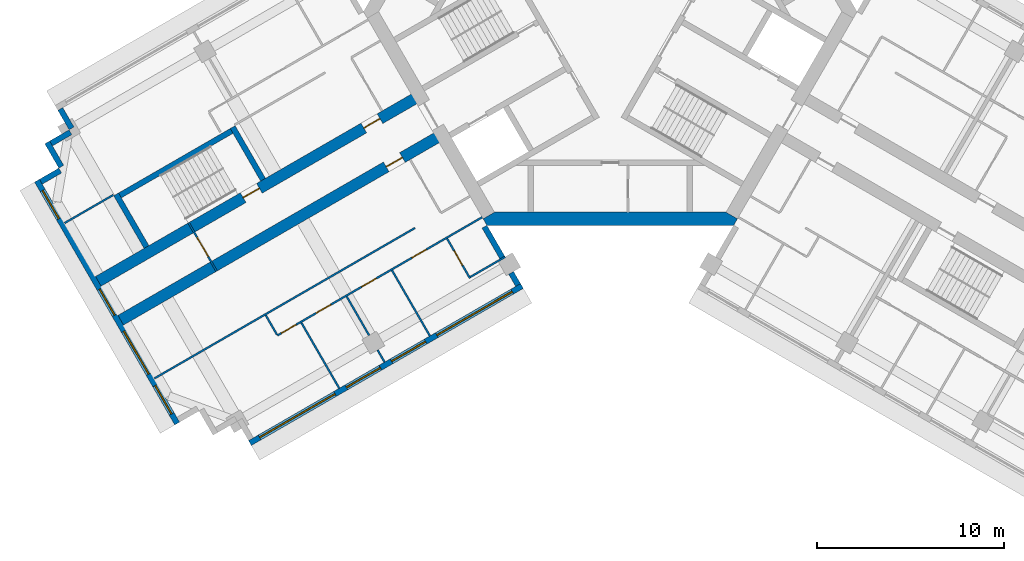
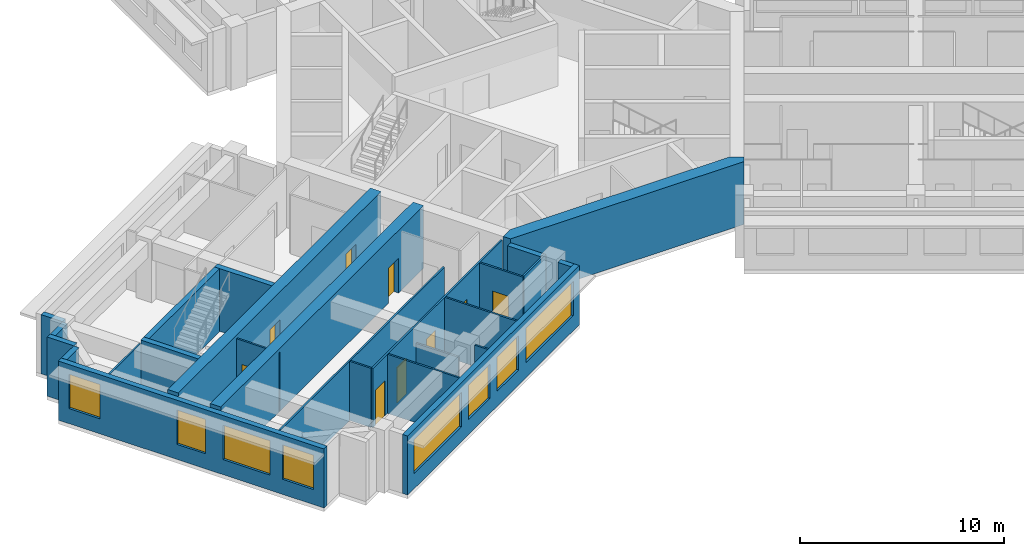
# One storey, part 2 of 10: 25 walls, 9 doors, 8 windows, 17 openings.
"""IFC4 building model written with IfcOpenShell, lengths in metres."""

from ifc_helpers import new_model, si_unit, direction, frame, frame_2d, origin, place, context, subcontext, project, spatial, polyline, rectangle, outline, extrude, material, layer, layer_set, type_object, element, fill, save


model = new_model("IFC4")

# Units and contexts
model_context = context("Model", 3, precision=1e-05, world=origin(), true_north=direction((0.0, 1.0)))
body_context = subcontext(model_context, "Body", "Model", "MODEL_VIEW")
ifc_project = project(units=[si_unit("LENGTHUNIT", "METRE"), si_unit("AREAUNIT", "SQUARE_METRE"), si_unit("VOLUMEUNIT", "CUBIC_METRE"), si_unit("PLANEANGLEUNIT", "RADIAN"), si_unit("MASSUNIT", "GRAM", prefix="KILO")], contexts=[model_context])

# Site, building, storey
site_placement = place(None, origin())
site = spatial("IfcSite", under=ifc_project, at=site_placement, CompositionType="ELEMENT")
building_placement = place(site_placement, origin())
building = spatial("IfcBuilding", under=site, at=building_placement, Name="Impinga Residences", CompositionType="ELEMENT")
storey_placement = place(building_placement, frame((0.0, 0.0, 241.0)))
storey = spatial("IfcBuildingStorey", under=building, at=storey_placement, Name="L60", CompositionType="ELEMENT", Elevation=241.0)

# Wall, opening, door
ifc_material_1 = material(Name="Concrete C60/75", Category="concrete")
ifc_layer_1 = layer(ifc_material_1, 0.60009765625)
ifc_layer_set_1 = layer_set([ifc_layer_1], Name="Concrete C60/75")
wall_type_1 = type_object("IfcWallType", Name="BW3 corridor buttress wall, L46 to L73 600", PredefinedType="SHEAR", material=ifc_layer_set_1)
wall_1_placement = place(storey_placement, frame((-8.996826171875, -6.580078125, 0.0), z_axis=(0.0, 0.0, 1.0), x_axis=(-0.866030540451, -0.499991102927, 0.0)))
wall_1 = element("IfcWall", 1, at=wall_1_placement, inside=storey, type_object=wall_type_1, Name="Corridor wall BW3 WC L60", PredefinedType="SHEAR", context=body_context, shape_type="SweptSolid", body=[
    extrude(rectangle(XDim=19.849853515625, YDim=0.60009765625, at=frame_2d((9.9248046875, 0.0))), origin(), (0.0, 0.0, 1.0), 3.75),
])
opening_1_placement = place(wall_1_placement, frame((2.449951171875, 0.0, 0.0)))
opening_1 = element("IfcOpeningElement", 2, at=opening_1_placement, cuts=wall_1, Name="Opening D1", PredefinedType="OPENING", context=body_context, shape_type="SweptSolid", body=[
    extrude(rectangle(XDim=1.0, YDim=2.10009765625, at=frame_2d((0.5, 1.050048828125))), frame((0.0, 0.31005859375, 0.0), z_axis=(0.0, -1.0, 0.0), x_axis=(1.0, 0.0, 0.0)), (0.0, 0.0, 1.0), 0.6201171875),
])
ifc_material_2 = material(Name="Timber door set", Category="wood")
door_type_1 = type_object("IfcDoorType", Name="D1 apartment entrance door 1000x2100", OperationType="SINGLE_SWING_LEFT", PredefinedType="DOOR", material=ifc_material_2)
door_1_placement = place(opening_1_placement, origin())
door_1 = element("IfcDoor", 3, at=door_1_placement, inside=storey, type_object=door_type_1, Name="Apartment L60-WA1 entrance", OperationType="SINGLE_SWING_LEFT", OverallHeight=2.10009765625, OverallWidth=1.0, PredefinedType="DOOR", context=body_context, shape_type="SweptSolid", body=[
    extrude(rectangle(XDim=1.0, YDim=2.10009765625, at=frame_2d((0.5, 1.050048828125))), frame((0.0, 0.02490234375, 0.0), z_axis=(0.0, -1.0, 0.0), x_axis=(1.0, 0.0, 0.0)), (0.0, 0.0, 1.0), 0.050048828125),
])
fill(opening_1, door_1)

# Wall, openings, doors
wall_2_placement = place(storey_placement, frame((-10.19677734375, -4.50146484375, 0.0), z_axis=(0.0, 0.0, 1.0), x_axis=(-0.866025214745, -0.500000327426, 0.0)))
wall_2 = element("IfcWall", 4, at=wall_2_placement, inside=storey, type_object=wall_type_1, Name="Corridor wall BW3 WD L60", PredefinedType="SHEAR", context=body_context, shape_type="SweptSolid", body=[
    extrude(rectangle(XDim=19.85009765625, YDim=0.60009765625, at=frame_2d((9.925048828125, 0.0))), origin(), (0.0, 0.0, 1.0), 3.75),
])
opening_2_placement = place(wall_2_placement, frame((9.89990234375, 0.0, 0.0)))
opening_2 = element("IfcOpeningElement", 5, at=opening_2_placement, cuts=wall_2, Name="Opening D5", PredefinedType="OPENING", context=body_context, shape_type="SweptSolid", body=[
    extrude(rectangle(XDim=1.0, YDim=2.10009765625, at=frame_2d((0.5, 1.050048828125))), frame((0.0, 0.31005859375, 0.0), z_axis=(0.0, -1.0, 0.0), x_axis=(1.0, 0.0, 0.0)), (0.0, 0.0, 1.0), 0.6201171875),
])
opening_3_placement = place(wall_2_placement, frame((2.449951171875, 0.0, 0.0)))
opening_3 = element("IfcOpeningElement", 6, at=opening_3_placement, cuts=wall_2, Name="Opening D1", PredefinedType="OPENING", context=body_context, shape_type="SweptSolid", body=[
    extrude(rectangle(XDim=1.0, YDim=2.10009765625, at=frame_2d((0.5, 1.050048828125))), frame((0.0, 0.31005859375, 0.0), z_axis=(0.0, -1.0, 0.0), x_axis=(1.0, 0.0, 0.0)), (0.0, 0.0, 1.0), 0.6201171875),
])
door_2_placement = place(opening_3_placement, origin())
door_2 = element("IfcDoor", 7, at=door_2_placement, inside=storey, type_object=door_type_1, Name="Apartment L60-WF1 entrance", OperationType="SINGLE_SWING_LEFT", OverallHeight=2.10009765625, OverallWidth=1.0, PredefinedType="DOOR", context=body_context, shape_type="SweptSolid", body=[
    extrude(rectangle(XDim=1.0, YDim=2.10009765625, at=frame_2d((0.5, 1.050048828125))), frame((0.0, 0.02490234375, 0.0), z_axis=(0.0, -1.0, 0.0), x_axis=(1.0, 0.0, 0.0)), (0.0, 0.0, 1.0), 0.050048828125),
])
fill(opening_3, door_2)
door_type_2 = type_object("IfcDoorType", Name="D5 stair door 1000x2100", OperationType="SINGLE_SWING_LEFT", PredefinedType="DOOR", material=ifc_material_2)
door_3_placement = place(opening_2_placement, origin())
door_3 = element("IfcDoor", 8, at=door_3_placement, inside=storey, type_object=door_type_2, Name="Wing stair door W", OperationType="SINGLE_SWING_RIGHT", OverallHeight=2.10009765625, OverallWidth=1.0, PredefinedType="DOOR", context=body_context, shape_type="SweptSolid", body=[
    extrude(rectangle(XDim=1.0, YDim=2.10009765625, at=frame_2d((0.5, 1.050048828125))), frame((0.0, 0.02490234375, 0.0), z_axis=(0.0, -1.0, 0.0), x_axis=(1.0, 0.0, 0.0)), (0.0, 0.0, 1.0), 0.050048828125),
])
fill(opening_2, door_3)

# Wall, opening, door
ifc_material_3 = material(Name="Concrete blockwork", Category="masonry")
ifc_layer_2 = layer(ifc_material_3, 0.10009765625)
ifc_layer_set_2 = layer_set([ifc_layer_2], Name="CP1 core room partition, blockwork 100")
wall_type_2 = type_object("IfcWallType", Name="CP1 core room partition, blockwork 100", PredefinedType="PARTITIONING", material=ifc_layer_set_2)
wall_3_placement = place(storey_placement, frame((-21.057861328125, -13.889892578125, 0.0), z_axis=(0.0, 0.0, 1.0), x_axis=(-0.499990139034, 0.866031096941, 0.0)))
wall_3 = element("IfcWall", 9, at=wall_3_placement, inside=storey, type_object=wall_type_2, Name="Core room partition, blockwork L60:W:LNG", PredefinedType="PARTITIONING", context=body_context, shape_type="SweptSolid", body=[
    extrude(rectangle(XDim=3.0, YDim=0.10009765625, at=frame_2d((1.5, 0.0))), origin(), (0.0, 0.0, 1.0), 3.530029296875),
])
opening_4_placement = place(wall_3_placement, frame((0.89990234375, 0.0, 0.0)))
opening_4 = element("IfcOpeningElement", 10, at=opening_4_placement, cuts=wall_3, Name="Opening D3", PredefinedType="OPENING", context=body_context, shape_type="SweptSolid", body=[
    extrude(rectangle(XDim=1.199951171875, YDim=2.10009765625, at=frame_2d((0.60009765625, 1.050048828125))), frame((0.0, 0.06005859375, 0.0), z_axis=(0.0, -1.0, 0.0), x_axis=(1.0, 0.0, 0.0)), (0.0, 0.0, 1.0), 0.1201171875),
])
door_type_3 = type_object("IfcDoorType", Name="D3 room door, leaf and a half 1200x2100", OperationType="DOUBLE_SWING_LEFT", PredefinedType="DOOR", material=ifc_material_2)
door_4_placement = place(opening_4_placement, origin())
door_4 = element("IfcDoor", 11, at=door_4_placement, inside=storey, type_object=door_type_3, Name="Residents' lounge door W", OperationType="DOUBLE_SWING_LEFT", OverallHeight=2.10009765625, OverallWidth=1.199951171875, PredefinedType="DOOR", context=body_context, shape_type="SweptSolid", body=[
    extrude(rectangle(XDim=1.199951171875, YDim=2.10009765625, at=frame_2d((0.60009765625, 1.050048828125))), frame((0.0, 0.02490234375, 0.0), z_axis=(0.0, -1.0, 0.0), x_axis=(1.0, 0.0, 0.0)), (0.0, 0.0, 1.0), 0.050048828125),
])
fill(opening_4, door_4)

# Walls
ifc_material_4 = material(Name="Terracotta rainscreen on blockwork", Category="masonry")
ifc_layer_3 = layer(ifc_material_4, 0.300048828125)
ifc_layer_set_3 = layer_set([ifc_layer_3], Name="EW1 external wall, terracotta rainscreen on blockwork 300")
wall_type_3 = type_object("IfcWallType", Name="EW1 external wall, terracotta rainscreen on blockwork 300", PredefinedType="SOLIDWALL", material=ifc_layer_set_3)
wall_4_placement = place(storey_placement, frame((-6.72998046875, -11.506591796875, 0.0), z_axis=(0.0, 0.0, 1.0), x_axis=(0.500043961785, -0.866000020948, 0.0)))
element("IfcWall", 12, at=wall_4_placement, inside=storey, type_object=wall_type_3, Name="External wall EW1 L60", PredefinedType="SOLIDWALL", context=body_context, shape_type="SweptSolid", body=[
    extrude(rectangle(XDim=1.949951171875, YDim=0.300048828125, at=frame_2d((0.97509765625, 0.0))), origin(), (0.0, 0.0, 1.0), 3.530029296875),
])
wall_5_placement = place(storey_placement, frame((-5.304931640625, -13.974609375, 0.0), z_axis=(0.0, 0.0, 1.0), x_axis=(0.499919672301, -0.866071776036, 0.0)))
element("IfcWall", 13, at=wall_5_placement, inside=storey, type_object=wall_type_3, Name="External wall EW1 L60", PredefinedType="SOLIDWALL", context=body_context, shape_type="SweptSolid", body=[
    extrude(rectangle(XDim=0.75, YDim=0.300048828125, at=frame_2d((0.375, 0.0))), origin(), (0.0, 0.0, 1.0), 3.530029296875),
])

# Wall, openings, windows
wall_6_placement = place(storey_placement, frame((-4.72509765625, -14.67919921875, 0.0), z_axis=(0.0, 0.0, 1.0), x_axis=(-0.86602562146, -0.499999622975, 0.0)))
wall_6 = element("IfcWall", 14, at=wall_6_placement, inside=storey, type_object=wall_type_3, Name="External wall EW1 L60", PredefinedType="SOLIDWALL", context=body_context, shape_type="SweptSolid", body=[
    extrude(rectangle(XDim=16.7998046875, YDim=0.300048828125, at=frame_2d((8.39990234375, 0.0))), origin(), (0.0, 0.0, 1.0), 3.530029296875),
])
opening_5_placement = place(wall_6_placement, frame((0.60009765625, 0.0, 0.89990234375)))
opening_5 = element("IfcOpeningElement", 15, at=opening_5_placement, cuts=wall_6, Name="Opening W10", PredefinedType="OPENING", context=body_context, shape_type="SweptSolid", body=[
    extrude(rectangle(XDim=4.64990234375, YDim=2.050048828125, at=frame_2d((2.324951171875, 1.02490234375))), frame((0.0, 0.159912109375, 0.0), z_axis=(0.0, -1.0, 0.0), x_axis=(1.0, 0.0, 0.0)), (0.0, 0.0, 1.0), 0.320068359375),
])
opening_6_placement = place(wall_6_placement, frame((5.949951171875, 0.0, 0.89990234375)))
opening_6 = element("IfcOpeningElement", 16, at=opening_6_placement, cuts=wall_6, Name="Opening W9", PredefinedType="OPENING", context=body_context, shape_type="SweptSolid", body=[
    extrude(rectangle(XDim=2.10009765625, YDim=2.050048828125, at=frame_2d((1.050048828125, 1.02490234375))), frame((0.0, 0.159912109375, 0.0), z_axis=(0.0, -1.0, 0.0), x_axis=(1.0, 0.0, 0.0)), (0.0, 0.0, 1.0), 0.320068359375),
])
opening_7_placement = place(wall_6_placement, frame((8.75, 0.0, 0.89990234375)))
opening_7 = element("IfcOpeningElement", 17, at=opening_7_placement, cuts=wall_6, Name="Opening W9", PredefinedType="OPENING", context=body_context, shape_type="SweptSolid", body=[
    extrude(rectangle(XDim=2.10009765625, YDim=2.050048828125, at=frame_2d((1.050048828125, 1.02490234375))), frame((0.0, 0.159912109375, 0.0), z_axis=(0.0, -1.0, 0.0), x_axis=(1.0, 0.0, 0.0)), (0.0, 0.0, 1.0), 0.320068359375),
])
opening_8_placement = place(wall_6_placement, frame((11.550048828125, 0.0, 0.89990234375)))
opening_8 = element("IfcOpeningElement", 18, at=opening_8_placement, cuts=wall_6, Name="Opening W10", PredefinedType="OPENING", context=body_context, shape_type="SweptSolid", body=[
    extrude(rectangle(XDim=4.64990234375, YDim=2.050048828125, at=frame_2d((2.324951171875, 1.02490234375))), frame((0.0, 0.159912109375, 0.0), z_axis=(0.0, -1.0, 0.0), x_axis=(1.0, 0.0, 0.0)), (0.0, 0.0, 1.0), 0.320068359375),
])
ifc_material_5 = material(Name="Aluminium window, clear double glazing", Category="aluminium")
window_type_1 = type_object("IfcWindowType", Name="W10 ribbon window 4650x2050", PartitioningType="SINGLE_PANEL", PredefinedType="WINDOW", material=ifc_material_5)
window_1_placement = place(opening_5_placement, origin())
window_1 = element("IfcWindow", 19, at=window_1_placement, inside=storey, type_object=window_type_1, Name="Window L60", OverallHeight=2.050048828125, OverallWidth=4.64990234375, PartitioningType="SINGLE_PANEL", PredefinedType="WINDOW", context=body_context, shape_type="SweptSolid", body=[
    extrude(rectangle(XDim=4.64990234375, YDim=2.050048828125, at=frame_2d((2.324951171875, 1.02490234375))), frame((0.0, 0.030029296875, 0.0), z_axis=(0.0, -1.0, 0.0), x_axis=(1.0, 0.0, 0.0)), (0.0, 0.0, 1.0), 0.06005859375),
])
fill(opening_5, window_1)
window_2_placement = place(opening_8_placement, origin())
window_2 = element("IfcWindow", 20, at=window_2_placement, inside=storey, type_object=window_type_1, Name="Window L60", OverallHeight=2.050048828125, OverallWidth=4.64990234375, PartitioningType="SINGLE_PANEL", PredefinedType="WINDOW", context=body_context, shape_type="SweptSolid", body=[
    extrude(rectangle(XDim=4.64990234375, YDim=2.050048828125, at=frame_2d((2.324951171875, 1.02490234375))), frame((0.0, 0.030029296875, 0.0), z_axis=(0.0, -1.0, 0.0), x_axis=(1.0, 0.0, 0.0)), (0.0, 0.0, 1.0), 0.06005859375),
])
fill(opening_8, window_2)
window_type_2 = type_object("IfcWindowType", Name="W9 ribbon window 2100x2050", PartitioningType="SINGLE_PANEL", PredefinedType="WINDOW", material=ifc_material_5)
window_3_placement = place(opening_6_placement, origin())
window_3 = element("IfcWindow", 21, at=window_3_placement, inside=storey, type_object=window_type_2, Name="Window L60", OverallHeight=2.050048828125, OverallWidth=2.10009765625, PartitioningType="SINGLE_PANEL", PredefinedType="WINDOW", context=body_context, shape_type="SweptSolid", body=[
    extrude(rectangle(XDim=2.10009765625, YDim=2.050048828125, at=frame_2d((1.050048828125, 1.02490234375))), frame((0.0, 0.030029296875, 0.0), z_axis=(0.0, -1.0, 0.0), x_axis=(1.0, 0.0, 0.0)), (0.0, 0.0, 1.0), 0.06005859375),
])
fill(opening_6, window_3)
window_4_placement = place(opening_7_placement, origin())
window_4 = element("IfcWindow", 22, at=window_4_placement, inside=storey, type_object=window_type_2, Name="Window L60", OverallHeight=2.050048828125, OverallWidth=2.10009765625, PartitioningType="SINGLE_PANEL", PredefinedType="WINDOW", context=body_context, shape_type="SweptSolid", body=[
    extrude(rectangle(XDim=2.10009765625, YDim=2.050048828125, at=frame_2d((1.050048828125, 1.02490234375))), frame((0.0, 0.030029296875, 0.0), z_axis=(0.0, -1.0, 0.0), x_axis=(1.0, 0.0, 0.0)), (0.0, 0.0, 1.0), 0.06005859375),
])
fill(opening_7, window_4)

wall_7_placement = place(storey_placement, frame((-23.16748046875, -22.035888671875, 0.0), z_axis=(0.0, 0.0, 1.0), x_axis=(-0.500004234368, 0.866022959057, 0.0)))
wall_7 = element("IfcWall", 23, at=wall_7_placement, inside=storey, type_object=wall_type_3, Name="External wall EW1 L60", PredefinedType="SOLIDWALL", context=body_context, shape_type="SweptSolid", body=[
    extrude(rectangle(XDim=14.999755859375, YDim=0.300048828125, at=frame_2d((7.5, 0.0))), origin(), (0.0, 0.0, 1.0), 3.530029296875),
])
opening_9_placement = place(wall_7_placement, frame((0.60009765625, 0.0, 0.89990234375)))
opening_9 = element("IfcOpeningElement", 24, at=opening_9_placement, cuts=wall_7, Name="Opening W1", PredefinedType="OPENING", context=body_context, shape_type="SweptSolid", body=[
    extrude(rectangle(XDim=1.75, YDim=2.050048828125, at=frame_2d((0.875, 1.02490234375))), frame((0.0, 0.159912109375, 0.0), z_axis=(0.0, -1.0, 0.0), x_axis=(1.0, 0.0, 0.0)), (0.0, 0.0, 1.0), 0.320068359375),
])
opening_10_placement = place(wall_7_placement, frame((3.050048828125, 0.0, 0.89990234375)))
opening_10 = element("IfcOpeningElement", 25, at=opening_10_placement, cuts=wall_7, Name="Opening W18", PredefinedType="OPENING", context=body_context, shape_type="SweptSolid", body=[
    extrude(rectangle(XDim=2.64990234375, YDim=2.050048828125, at=frame_2d((1.324951171875, 1.02490234375))), frame((0.0, 0.159912109375, 0.0), z_axis=(0.0, -1.0, 0.0), x_axis=(1.0, 0.0, 0.0)), (0.0, 0.0, 1.0), 0.320068359375),
])
opening_11_placement = place(wall_7_placement, frame((6.699951171875, 0.0, 0.89990234375)))
opening_11 = element("IfcOpeningElement", 26, at=opening_11_placement, cuts=wall_7, Name="Opening W19", PredefinedType="OPENING", context=body_context, shape_type="SweptSolid", body=[
    extrude(rectangle(XDim=1.60009765625, YDim=2.050048828125, at=frame_2d((0.800048828125, 1.02490234375))), frame((0.0, 0.159912109375, 0.0), z_axis=(0.0, -1.0, 0.0), x_axis=(1.0, 0.0, 0.0)), (0.0, 0.0, 1.0), 0.320068359375),
])
opening_12_placement = place(wall_7_placement, frame((12.64990234375, 0.0, 0.89990234375)))
opening_12 = element("IfcOpeningElement", 27, at=opening_12_placement, cuts=wall_7, Name="Opening W1", PredefinedType="OPENING", context=body_context, shape_type="SweptSolid", body=[
    extrude(rectangle(XDim=1.75, YDim=2.050048828125, at=frame_2d((0.875, 1.02490234375))), frame((0.0, 0.159912109375, 0.0), z_axis=(0.0, -1.0, 0.0), x_axis=(1.0, 0.0, 0.0)), (0.0, 0.0, 1.0), 0.320068359375),
])
window_type_3 = type_object("IfcWindowType", Name="W1 ribbon window 1750x2050", PartitioningType="SINGLE_PANEL", PredefinedType="WINDOW", material=ifc_material_5)
window_5_placement = place(opening_9_placement, origin())
window_5 = element("IfcWindow", 28, at=window_5_placement, inside=storey, type_object=window_type_3, Name="Window L60", OverallHeight=2.050048828125, OverallWidth=1.75, PartitioningType="SINGLE_PANEL", PredefinedType="WINDOW", context=body_context, shape_type="SweptSolid", body=[
    extrude(rectangle(XDim=1.75, YDim=2.050048828125, at=frame_2d((0.875, 1.02490234375))), frame((0.0, 0.030029296875, 0.0), z_axis=(0.0, -1.0, 0.0), x_axis=(1.0, 0.0, 0.0)), (0.0, 0.0, 1.0), 0.06005859375),
])
fill(opening_9, window_5)
window_6_placement = place(opening_12_placement, origin())
window_6 = element("IfcWindow", 29, at=window_6_placement, inside=storey, type_object=window_type_3, Name="Window L60", OverallHeight=2.050048828125, OverallWidth=1.75, PartitioningType="SINGLE_PANEL", PredefinedType="WINDOW", context=body_context, shape_type="SweptSolid", body=[
    extrude(rectangle(XDim=1.75, YDim=2.050048828125, at=frame_2d((0.875, 1.02490234375))), frame((0.0, 0.030029296875, 0.0), z_axis=(0.0, -1.0, 0.0), x_axis=(1.0, 0.0, 0.0)), (0.0, 0.0, 1.0), 0.06005859375),
])
fill(opening_12, window_6)
window_type_4 = type_object("IfcWindowType", Name="W18 ribbon window 2650x2050", PartitioningType="SINGLE_PANEL", PredefinedType="WINDOW", material=ifc_material_5)
window_7_placement = place(opening_10_placement, origin())
window_7 = element("IfcWindow", 30, at=window_7_placement, inside=storey, type_object=window_type_4, Name="Window L60", OverallHeight=2.050048828125, OverallWidth=2.64990234375, PartitioningType="SINGLE_PANEL", PredefinedType="WINDOW", context=body_context, shape_type="SweptSolid", body=[
    extrude(rectangle(XDim=2.64990234375, YDim=2.050048828125, at=frame_2d((1.324951171875, 1.02490234375))), frame((0.0, 0.030029296875, 0.0), z_axis=(0.0, -1.0, 0.0), x_axis=(1.0, 0.0, 0.0)), (0.0, 0.0, 1.0), 0.06005859375),
])
fill(opening_10, window_7)
window_type_5 = type_object("IfcWindowType", Name="W19 ribbon window 1600x2050", PartitioningType="SINGLE_PANEL", PredefinedType="WINDOW", material=ifc_material_5)
window_8_placement = place(opening_11_placement, origin())
window_8 = element("IfcWindow", 31, at=window_8_placement, inside=storey, type_object=window_type_5, Name="Window L60", OverallHeight=2.050048828125, OverallWidth=1.60009765625, PartitioningType="SINGLE_PANEL", PredefinedType="WINDOW", context=body_context, shape_type="SweptSolid", body=[
    extrude(rectangle(XDim=1.60009765625, YDim=2.050048828125, at=frame_2d((0.800048828125, 1.02490234375))), frame((0.0, 0.030029296875, 0.0), z_axis=(0.0, -1.0, 0.0), x_axis=(1.0, 0.0, 0.0)), (0.0, 0.0, 1.0), 0.06005859375),
])
fill(opening_11, window_8)

# Walls
wall_8_placement = place(storey_placement, frame((-30.46240234375, -9.1005859375, 0.0), z_axis=(0.0, 0.0, 1.0), x_axis=(0.865971243484, 0.500093796661, 0.0)))
element("IfcWall", 32, at=wall_8_placement, inside=storey, type_object=wall_type_3, Name="External wall EW1 L60", PredefinedType="SOLIDWALL", context=body_context, shape_type="SweptSolid", body=[
    extrude(rectangle(XDim=1.195068359375, YDim=0.300048828125, at=frame_2d((0.59765625, 0.0))), origin(), (0.0, 0.0, 1.0), 3.530029296875),
])
wall_9_placement = place(storey_placement, frame((-29.368408203125, -8.295654296875, 0.0), z_axis=(0.0, 0.0, 1.0), x_axis=(-0.499990139034, 0.866031096941, 0.0)))
element("IfcWall", 33, at=wall_9_placement, inside=storey, type_object=wall_type_3, Name="External wall EW1 L60", PredefinedType="SOLIDWALL", context=body_context, shape_type="SweptSolid", body=[
    extrude(rectangle(XDim=1.5, YDim=0.300048828125, at=frame_2d((0.75, 0.0))), origin(), (0.0, 0.0, 1.0), 3.530029296875),
])
wall_10_placement = place(storey_placement, frame((-29.91357421875, -7.051513671875, 0.0), z_axis=(0.0, 0.0, 1.0), x_axis=(0.865971243484, 0.500093796661, 0.0)))
element("IfcWall", 34, at=wall_10_placement, inside=storey, type_object=wall_type_3, Name="External wall EW1 L60", PredefinedType="SOLIDWALL", context=body_context, shape_type="SweptSolid", body=[
    extrude(rectangle(XDim=1.195068359375, YDim=0.300048828125, at=frame_2d((0.59765625, 0.0))), origin(), (0.0, 0.0, 1.0), 3.530029296875),
])
wall_11_placement = place(storey_placement, frame((-28.8193359375, -6.24658203125, 0.0), z_axis=(0.0, 0.0, 1.0), x_axis=(-0.500033551112, 0.866006032174, 0.0)))
element("IfcWall", 35, at=wall_11_placement, inside=storey, type_object=wall_type_3, Name="External wall EW1 L60", PredefinedType="SOLIDWALL", context=body_context, shape_type="SweptSolid", body=[
    extrude(rectangle(XDim=1.2001953125, YDim=0.300048828125, at=frame_2d((0.60009765625, 0.0))), origin(), (0.0, 0.0, 1.0), 3.530029296875),
])
ifc_material_6 = material(Name="Gypsum board on steel studs", Category="steel")
ifc_layer_4 = layer(ifc_material_6, 0.10009765625)
ifc_layer_set_4 = layer_set([ifc_layer_4], Name="Gypsum board on steel studs")
wall_type_4 = type_object("IfcWallType", Name="IP1 partition 100", PredefinedType="PARTITIONING", material=ifc_layer_set_4)
wall_12_placement = place(storey_placement, frame((-10.444580078125, -11.57275390625, 0.0), z_axis=(0.0, 0.0, 1.0), x_axis=(-0.866021949085, -0.500005983666, 0.0)))
element("IfcWall", 36, at=wall_12_placement, inside=storey, type_object=wall_type_4, Name="Partition L60-WA1:DIV1", PredefinedType="PARTITIONING", context=body_context, shape_type="SweptSolid", body=[
    extrude(rectangle(XDim=16.099853515625, YDim=0.10009765625, at=frame_2d((8.0498046875, 0.0))), origin(), (0.0, 0.0, 1.0), 3.530029296875),
])

# Wall, openings, doors
wall_13_placement = place(storey_placement, frame((-6.85009765625, -10.99853515625, 0.0), z_axis=(0.0, 0.0, 1.0), x_axis=(-0.866024244478, -0.500002007972, 0.0)))
wall_13 = element("IfcWall", 37, at=wall_13_placement, inside=storey, type_object=wall_type_4, Name="Partition L60-WA1:STRIP", PredefinedType="PARTITIONING", context=body_context, shape_type="SweptSolid", body=[
    extrude(rectangle(XDim=12.64990234375, YDim=0.10009765625, at=frame_2d((6.324951171875, 0.0))), origin(), (0.0, 0.0, 1.0), 3.530029296875),
])
opening_13_placement = place(wall_13_placement, frame((3.449951171875, 0.0, 0.0)))
opening_13 = element("IfcOpeningElement", 38, at=opening_13_placement, cuts=wall_13, Name="Opening D2", PredefinedType="OPENING", context=body_context, shape_type="SweptSolid", body=[
    extrude(rectangle(XDim=0.89990234375, YDim=2.10009765625, at=frame_2d((0.449951171875, 1.050048828125))), frame((0.0, 0.06005859375, 0.0), z_axis=(0.0, -1.0, 0.0), x_axis=(1.0, 0.0, 0.0)), (0.0, 0.0, 1.0), 0.1201171875),
])
opening_14_placement = place(wall_13_placement, frame((6.550048828125, 0.0, 0.0)))
opening_14 = element("IfcOpeningElement", 39, at=opening_14_placement, cuts=wall_13, Name="Opening D2", PredefinedType="OPENING", context=body_context, shape_type="SweptSolid", body=[
    extrude(rectangle(XDim=0.89990234375, YDim=2.10009765625, at=frame_2d((0.449951171875, 1.050048828125))), frame((0.0, 0.06005859375, 0.0), z_axis=(0.0, -1.0, 0.0), x_axis=(1.0, 0.0, 0.0)), (0.0, 0.0, 1.0), 0.1201171875),
])
opening_15_placement = place(wall_13_placement, frame((9.35009765625, 0.0, 0.0)))
opening_15 = element("IfcOpeningElement", 40, at=opening_15_placement, cuts=wall_13, Name="Opening D2", PredefinedType="OPENING", context=body_context, shape_type="SweptSolid", body=[
    extrude(rectangle(XDim=0.89990234375, YDim=2.10009765625, at=frame_2d((0.449951171875, 1.050048828125))), frame((0.0, 0.06005859375, 0.0), z_axis=(0.0, -1.0, 0.0), x_axis=(1.0, 0.0, 0.0)), (0.0, 0.0, 1.0), 0.1201171875),
])
opening_16_placement = place(wall_13_placement, frame((11.5, 0.0, 0.0)))
opening_16 = element("IfcOpeningElement", 41, at=opening_16_placement, cuts=wall_13, Name="Opening D2", PredefinedType="OPENING", context=body_context, shape_type="SweptSolid", body=[
    extrude(rectangle(XDim=0.89990234375, YDim=2.10009765625, at=frame_2d((0.449951171875, 1.050048828125))), frame((0.0, 0.06005859375, 0.0), z_axis=(0.0, -1.0, 0.0), x_axis=(1.0, 0.0, 0.0)), (0.0, 0.0, 1.0), 0.1201171875),
])
door_type_4 = type_object("IfcDoorType", Name="D2 internal door 900x2100", OperationType="SINGLE_SWING_LEFT", PredefinedType="DOOR", material=ifc_material_2)
door_5_placement = place(opening_13_placement, origin())
door_5 = element("IfcDoor", 42, at=door_5_placement, inside=storey, type_object=door_type_4, Name="Apartment L60-WA1 room door", OperationType="SINGLE_SWING_LEFT", OverallHeight=2.10009765625, OverallWidth=0.89990234375, PredefinedType="DOOR", context=body_context, shape_type="SweptSolid", body=[
    extrude(rectangle(XDim=0.89990234375, YDim=2.10009765625, at=frame_2d((0.449951171875, 1.050048828125))), frame((0.0, 0.02490234375, 0.0), z_axis=(0.0, -1.0, 0.0), x_axis=(1.0, 0.0, 0.0)), (0.0, 0.0, 1.0), 0.050048828125),
])
fill(opening_13, door_5)
door_6_placement = place(opening_14_placement, origin())
door_6 = element("IfcDoor", 43, at=door_6_placement, inside=storey, type_object=door_type_4, Name="Apartment L60-WA1 room door", OperationType="SINGLE_SWING_RIGHT", OverallHeight=2.10009765625, OverallWidth=0.89990234375, PredefinedType="DOOR", context=body_context, shape_type="SweptSolid", body=[
    extrude(rectangle(XDim=0.89990234375, YDim=2.10009765625, at=frame_2d((0.449951171875, 1.050048828125))), frame((0.0, 0.02490234375, 0.0), z_axis=(0.0, -1.0, 0.0), x_axis=(1.0, 0.0, 0.0)), (0.0, 0.0, 1.0), 0.050048828125),
])
fill(opening_14, door_6)
door_7_placement = place(opening_15_placement, origin())
door_7 = element("IfcDoor", 44, at=door_7_placement, inside=storey, type_object=door_type_4, Name="Apartment L60-WA1 room door", OperationType="SINGLE_SWING_RIGHT", OverallHeight=2.10009765625, OverallWidth=0.89990234375, PredefinedType="DOOR", context=body_context, shape_type="SweptSolid", body=[
    extrude(rectangle(XDim=0.89990234375, YDim=2.10009765625, at=frame_2d((0.449951171875, 1.050048828125))), frame((0.0, 0.02490234375, 0.0), z_axis=(0.0, -1.0, 0.0), x_axis=(1.0, 0.0, 0.0)), (0.0, 0.0, 1.0), 0.050048828125),
])
fill(opening_15, door_7)
door_8_placement = place(opening_16_placement, origin())
door_8 = element("IfcDoor", 45, at=door_8_placement, inside=storey, type_object=door_type_4, Name="Apartment L60-WA1 room door", OperationType="SINGLE_SWING_RIGHT", OverallHeight=2.10009765625, OverallWidth=0.89990234375, PredefinedType="DOOR", context=body_context, shape_type="SweptSolid", body=[
    extrude(rectangle(XDim=0.89990234375, YDim=2.10009765625, at=frame_2d((0.449951171875, 1.050048828125))), frame((0.0, 0.02490234375, 0.0), z_axis=(0.0, -1.0, 0.0), x_axis=(1.0, 0.0, 0.0)), (0.0, 0.0, 1.0), 0.050048828125),
])
fill(opening_16, door_8)

# Walls
wall_14_placement = place(storey_placement, frame((-18.43017578125, -16.240966796875, 0.0), z_axis=(0.0, 0.0, 1.0), x_axis=(0.499880961361, -0.866094119867, 0.0)))
element("IfcWall", 46, at=wall_14_placement, inside=storey, type_object=wall_type_4, Name="Partition L60-WA1:SE1", PredefinedType="PARTITIONING", context=body_context, shape_type="SweptSolid", body=[
    extrude(rectangle(XDim=1.199951171875, YDim=0.10009765625, at=frame_2d((0.60009765625, 0.0))), origin(), (0.0, 0.0, 1.0), 3.530029296875),
])
wall_15_placement = place(storey_placement, frame((-11.6748046875, -13.841796875, 0.0), z_axis=(0.0, 0.0, 1.0), x_axis=(0.500035537042, -0.866004885491, 0.0)))
element("IfcWall", 47, at=wall_15_placement, inside=storey, type_object=wall_type_4, Name="Partition L60-WA1:OB1", PredefinedType="PARTITIONING", context=body_context, shape_type="SweptSolid", body=[
    extrude(rectangle(XDim=4.050048828125, YDim=0.10009765625, at=frame_2d((2.02490234375, 0.0))), origin(), (0.0, 0.0, 1.0), 3.530029296875),
])
wall_16_placement = place(storey_placement, frame((-14.099609375, -15.241943359375, 0.0), z_axis=(0.0, 0.0, 1.0), x_axis=(0.500001309137, -0.866024647952, 0.0)))
element("IfcWall", 48, at=wall_16_placement, inside=storey, type_object=wall_type_4, Name="Partition L60-WA1:OB2", PredefinedType="PARTITIONING", context=body_context, shape_type="SweptSolid", body=[
    extrude(rectangle(XDim=2.39990234375, YDim=0.10009765625, at=frame_2d((1.199951171875, 0.0))), origin(), (0.0, 0.0, 1.0), 2.47998046875),
])
wall_17_placement = place(storey_placement, frame((-12.44970703125, -18.099609375, 0.0), z_axis=(0.0, 0.0, 1.0), x_axis=(0.499919672301, -0.866071776036, 0.0)))
element("IfcWall", 49, at=wall_17_placement, inside=storey, type_object=wall_type_4, Name="Partition L60-WA1:OB2b", PredefinedType="PARTITIONING", context=body_context, shape_type="SweptSolid", body=[
    extrude(rectangle(XDim=0.75, YDim=0.10009765625, at=frame_2d((0.375, 0.0))), origin(), (0.0, 0.0, 1.0), 3.530029296875),
])
wall_18_placement = place(storey_placement, frame((-16.5244140625, -16.641845703125, 0.0), z_axis=(0.0, 0.0, 1.0), x_axis=(0.499990325971, -0.866030989016, 0.0)))
element("IfcWall", 50, at=wall_18_placement, inside=storey, type_object=wall_type_4, Name="Partition L60-WA1:OB3", PredefinedType="PARTITIONING", context=body_context, shape_type="SweptSolid", body=[
    extrude(rectangle(XDim=4.0498046875, YDim=0.10009765625, at=frame_2d((2.02490234375, 0.0))), origin(), (0.0, 0.0, 1.0), 3.530029296875),
])

# Wall, opening, door
wall_19_placement = place(storey_placement, frame((-8.730224609375, -12.141845703125, 0.0), z_axis=(0.0, 0.0, 1.0), x_axis=(0.499943856944, -0.866057815567, 0.0)))
wall_19 = element("IfcWall", 51, at=wall_19_placement, inside=storey, type_object=wall_type_4, Name="Partition L60-WA1:EN1", PredefinedType="PARTITIONING", context=body_context, shape_type="SweptSolid", body=[
    extrude(rectangle(XDim=2.449951171875, YDim=0.10009765625, at=frame_2d((1.22509765625, 0.0))), origin(), (0.0, 0.0, 1.0), 3.530029296875),
])
opening_17_placement = place(wall_19_placement, frame((0.75, 0.0, 0.0)))
opening_17 = element("IfcOpeningElement", 52, at=opening_17_placement, cuts=wall_19, Name="Opening D2", PredefinedType="OPENING", context=body_context, shape_type="SweptSolid", body=[
    extrude(rectangle(XDim=0.89990234375, YDim=2.10009765625, at=frame_2d((0.449951171875, 1.050048828125))), frame((0.0, 0.06005859375, 0.0), z_axis=(0.0, -1.0, 0.0), x_axis=(1.0, 0.0, 0.0)), (0.0, 0.0, 1.0), 0.1201171875),
])
door_9_placement = place(opening_17_placement, origin())
door_9 = element("IfcDoor", 53, at=door_9_placement, inside=storey, type_object=door_type_4, Name="Apartment L60-WA1 en-suite door", OperationType="SINGLE_SWING_LEFT", OverallHeight=2.10009765625, OverallWidth=0.89990234375, PredefinedType="DOOR", context=body_context, shape_type="SweptSolid", body=[
    extrude(rectangle(XDim=0.89990234375, YDim=2.10009765625, at=frame_2d((0.449951171875, 1.050048828125))), frame((0.0, 0.02490234375, 0.0), z_axis=(0.0, -1.0, 0.0), x_axis=(1.0, 0.0, 0.0)), (0.0, 0.0, 1.0), 0.050048828125),
])
fill(opening_17, door_9)

# Walls
wall_20_placement = place(storey_placement, frame((-5.625, -13.120361328125, 0.0), z_axis=(0.0, 0.0, 1.0), x_axis=(-0.866047553582, -0.499961633463, 0.0)))
element("IfcWall", 54, at=wall_20_placement, inside=storey, type_object=wall_type_4, Name="Partition L60-WA1:EN2", PredefinedType="PARTITIONING", context=body_context, shape_type="SweptSolid", body=[
    extrude(rectangle(XDim=2.150146484375, YDim=0.10009765625, at=frame_2d((1.0751953125, 0.0))), origin(), (0.0, 0.0, 1.0), 3.530029296875),
])
wall_21_placement = place(storey_placement, frame((-26.58935546875, -9.808837890625, 0.0), z_axis=(0.0, 0.0, 1.0), x_axis=(-0.866031096941, -0.499990139034, 0.0)))
element("IfcWall", 55, at=wall_21_placement, inside=storey, type_object=wall_type_4, Name="Partition L60-WF1:DIV2", PredefinedType="PARTITIONING", context=body_context, shape_type="SweptSolid", body=[
    extrude(rectangle(XDim=3.0, YDim=0.10009765625, at=frame_2d((1.5, 0.0))), origin(), (0.0, 0.0, 1.0), 3.530029296875),
])
ifc_layer_5 = layer(ifc_material_1, 0.300048828125)
ifc_layer_set_5 = layer_set([ifc_layer_5], Name="Concrete C60/75")
wall_type_5 = type_object("IfcWallType", Name="SE1 wing stair enclosure wall 300", PredefinedType="SOLIDWALL", material=ifc_layer_set_5)
for number, where, z_axis, x_axis, name in (
    (56, (-18.57421875, -8.99169921875, 0.0), (0.0, 0.0, 1.0), (-0.500017246033, 0.866015446554, 0.0), "Stair enclosure wall SE1 W END0 L60"),
    (57, (-24.8095703125, -12.591796875, 0.0), (0.0, 0.0, 1.0), (-0.499984717929, 0.866034226713, 0.0), "Stair enclosure wall SE1 W END1 L60"),
):
    element("IfcWall", number, at=place(storey_placement, frame(where, z_axis=z_axis, x_axis=x_axis)), inside=storey, type_object=wall_type_5, Name=name, PredefinedType="SOLIDWALL", context=body_context, shape_type="SweptSolid", body=[
        extrude(rectangle(XDim=3.25, YDim=0.300048828125, at=frame_2d((1.625, 0.0))), origin(), (0.0, 0.0, 1.0), 3.75),
    ])
wall_22_placement = place(storey_placement, frame((-20.254150390625, -6.382080078125, 0.0), z_axis=(0.0, 0.0, 1.0), x_axis=(-0.866020008033, -0.500009345598, 0.0)))
element("IfcWall", 58, at=wall_22_placement, inside=storey, type_object=wall_type_5, Name="Stair enclosure wall SE1 W OUT L60", PredefinedType="SOLIDWALL", context=body_context, shape_type="SweptSolid", body=[
    extrude(rectangle(XDim=6.899658203125, YDim=0.300048828125, at=frame_2d((3.44970703125, 0.0))), origin(), (0.0, 0.0, 1.0), 3.75),
])
ifc_layer_6 = layer(ifc_material_1, 0.699951171875)
ifc_layer_set_6 = layer_set([ifc_layer_6], Name="Concrete C60/75")
wall_type_6 = type_object("IfcWallType", Name="SW3 core wall 700", PredefinedType="SHEAR", material=ifc_layer_set_6)
wall_23_placement = place(storey_placement, origin())
element("IfcWall", 59, at=wall_23_placement, inside=storey, type_object=wall_type_6, Name="Core wall SW3 N:EXPOSED L60", PredefinedType="SHEAR", context=body_context, shape_type="SweptSolid", body=[
    extrude(outline(polyline([(-6.60009765625, -11.431640625), (6.60009765625, -11.431640625), (6.802001953125, -11.08154296875), (6.19580078125, -10.7314453125), (-6.19580078125, -10.7314453125), (-6.802001953125, -11.08154296875), (-6.60009765625, -11.431640625)])), origin(), (0.0, 0.0, 1.0), 3.75),
])

save(model, "model.ifc")
